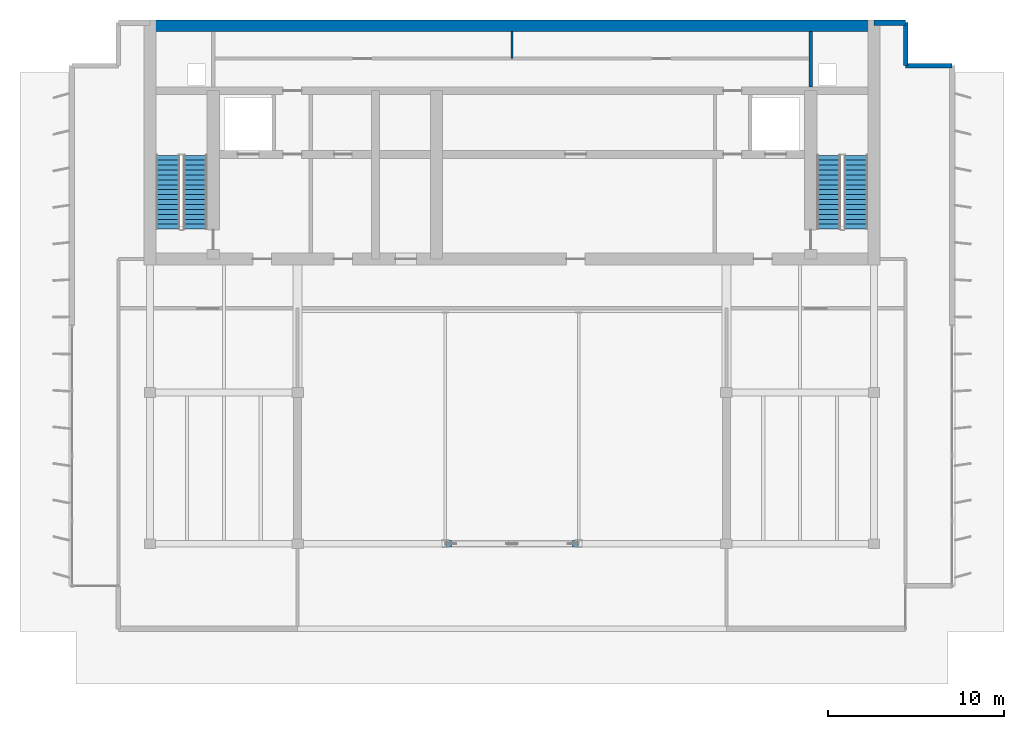
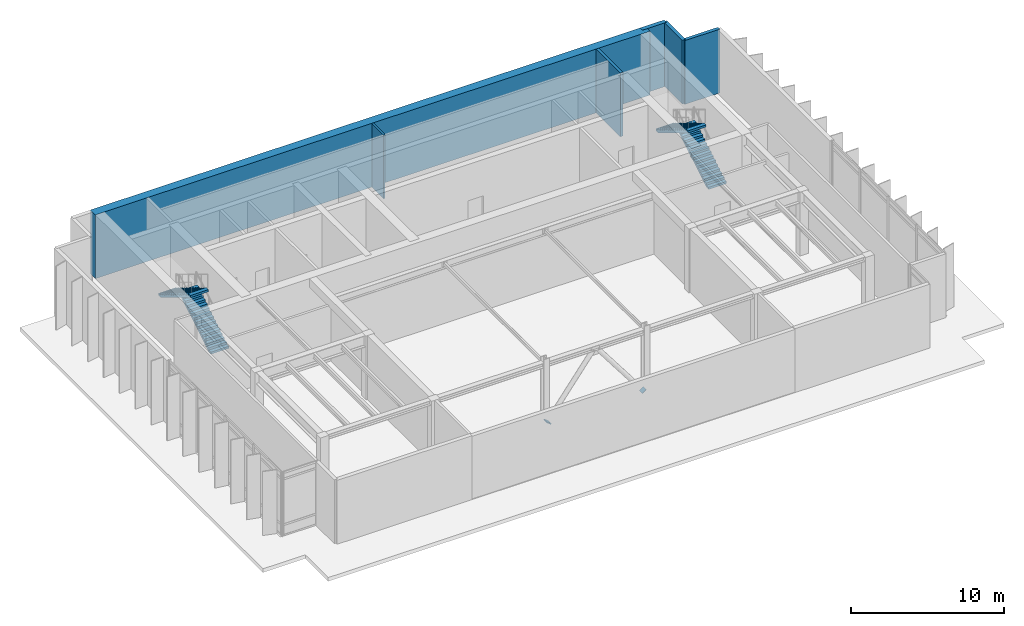
# One storey, part 7 of 10: 6 walls, 4 stair flights, 2 discrete accessories, 2 elements without a shape of their own.
"""IFC4 building model written with IfcOpenShell, lengths in metres."""

from ifc_helpers import new_model, si_unit, direction, frame, frame_2d, origin, place, context, subcontext, project, spatial, polyline, rectangle, outline, extrude, material, layer, layer_set, type_object, element, aggregate, save


model = new_model("IFC4")

# Units and contexts
model_context = context("Model", 3, precision=1e-05, world=origin(), true_north=direction((0.0, 1.0)))
body_context = subcontext(model_context, "Body", "Model", "MODEL_VIEW")
ifc_project = project(units=[si_unit("LENGTHUNIT", "METRE"), si_unit("AREAUNIT", "SQUARE_METRE"), si_unit("VOLUMEUNIT", "CUBIC_METRE"), si_unit("PLANEANGLEUNIT", "RADIAN"), si_unit("MASSUNIT", "GRAM", prefix="KILO")], contexts=[model_context])

# Site, building, storey
site_placement = place(None, origin())
site = spatial("IfcSite", under=ifc_project, at=site_placement, CompositionType="ELEMENT")
building_placement = place(site_placement, origin())
building = spatial("IfcBuilding", under=site, at=building_placement, Name="Caelmar Bay Residences", CompositionType="ELEMENT")
storey_placement = place(building_placement, frame((0.0, 0.0, 279.39990234375)))
storey = spatial("IfcBuildingStorey", under=building, at=storey_placement, Name="L78", CompositionType="ELEMENT", Elevation=279.39990234375)

# Walls
ifc_material_1 = material(Name="Concrete f'c 55 MPa (8,000 psi)", Category="concrete")
ifc_layer_1 = layer(ifc_material_1, 0.64990234375)
ifc_layer_set_1 = layer_set([ifc_layer_1], Name="Concrete f'c 55 MPa (8,000 psi)")
wall_type_1 = type_object("IfcWallType", Name="SW-CORN-650", PredefinedType="SHEAR", material=ifc_layer_set_1)
wall_1_placement = place(storey_placement, frame((17.949951171875, 50.27490234375, 0.0), z_axis=(0.0, 0.0, 1.0), x_axis=(1.0, 0.0, 0.0)))
element("IfcWall", 1, at=wall_1_placement, inside=storey, type_object=wall_type_1, Name="L78 Rear Core North Shear Wall", PredefinedType="SHEAR", context=body_context, shape_type="SweptSolid", body=[
    extrude(rectangle(XDim=41.900146484375, YDim=0.64990234375, at=frame_2d((20.9501953125, 0.0))), origin(), (0.0, 0.0, 1.0), 5.10009765625),
])
ifc_material_2 = material(Name="Precast concrete f'c 40 MPa (6,000 psi)", Category="concrete")
ifc_layer_2 = layer(ifc_material_2, 0.25)
ifc_layer_set_2 = layer_set([ifc_layer_2], Name="Precast concrete f'c 40 MPa (6,000 psi)")
wall_type_2 = type_object("IfcWallType", Name="W-EXT-250", PredefinedType="ELEMENTEDWALL", material=ifc_layer_set_2)
wall_2_placement = place(storey_placement, frame((61.300048828125, 50.449951171875, 0.0), z_axis=(0.0, 0.0, 1.0), x_axis=(0.0, -1.0, 0.0)))
element("IfcWall", 2, at=wall_2_placement, inside=storey, type_object=wall_type_2, Name="L78 NNE-V Notch Wall", PredefinedType="ELEMENTEDWALL", context=body_context, shape_type="SweptSolid", body=[
    extrude(rectangle(XDim=2.449951171875, YDim=0.25, at=frame_2d((1.22509765625, 0.0))), origin(), (0.0, 0.0, 1.0), 5.10009765625),
])
wall_3_placement = place(storey_placement, frame((61.300048828125, 48.0, 0.0), z_axis=(0.0, 0.0, 1.0), x_axis=(1.0, 0.0, 0.0)))
element("IfcWall", 3, at=wall_3_placement, inside=storey, type_object=wall_type_2, Name="L78 NNE-H Notch Wall", PredefinedType="ELEMENTEDWALL", context=body_context, shape_type="SweptSolid", body=[
    extrude(rectangle(XDim=2.64990234375, YDim=0.25, at=frame_2d((1.324951171875, 0.0))), origin(), (0.0, 0.0, 1.0), 5.10009765625),
])
ifc_layer_3 = layer(ifc_material_2, 0.300048828125)
ifc_layer_set_3 = layer_set([ifc_layer_3], Name="Precast concrete f'c 40 MPa (6,000 psi)")
wall_type_3 = type_object("IfcWallType", Name="W-EXT-300", PredefinedType="STANDARD", material=ifc_layer_set_3)
wall_4_placement = place(storey_placement, frame((59.5, 50.449951171875, 0.0), z_axis=(0.0, 0.0, 1.0), x_axis=(1.0, 0.0, 0.0)))
element("IfcWall", 4, at=wall_4_placement, inside=storey, type_object=wall_type_3, Name="L78 North-East Wing Exterior Wall", PredefinedType="STANDARD", context=body_context, shape_type="SweptSolid", body=[
    extrude(rectangle(XDim=1.800048828125, YDim=0.300048828125, at=frame_2d((0.89990234375, 0.0))), origin(), (0.0, 0.0, 1.0), 5.10009765625),
])
ifc_material_3 = material(Name="Fire-rated masonry and gypsum shaftliner assembly 200 mm", Category="masonry")
ifc_layer_4 = layer(ifc_material_3, 0.199951171875)
ifc_layer_set_4 = layer_set([ifc_layer_4], Name="Fire-rated masonry and gypsum shaftliner assembly 200 mm")
wall_type_4 = type_object("IfcWallType", Name="W-FSAE-200", PredefinedType="PARTITIONING", material=ifc_layer_set_4)
wall_5_placement = place(storey_placement, frame((55.89990234375, 46.794921875, 0.0), z_axis=(0.0, 0.0, 1.0), x_axis=(0.0, 1.0, 0.0)))
element("IfcWall", 5, at=wall_5_placement, inside=storey, type_object=wall_type_4, Name="L78 Partition Wall V014", PredefinedType="PARTITIONING", context=body_context, shape_type="SweptSolid", body=[
    extrude(rectangle(XDim=3.16015625, YDim=0.199951171875, at=frame_2d((1.580078125, 0.0))), origin(), (0.0, 0.0, 1.0), 5.10009765625),
])
ifc_material_4 = material(Name="Acoustic metal-stud gypsum partition 120 mm")
ifc_layer_5 = layer(ifc_material_4, 0.1201171875)
ifc_layer_set_5 = layer_set([ifc_layer_5], Name="Acoustic metal-stud gypsum partition 120 mm")
wall_type_5 = type_object("IfcWallType", Name="W-PRT-120", PredefinedType="PARTITIONING", material=ifc_layer_set_5)
wall_6_placement = place(storey_placement, frame((38.89990234375, 48.39990234375, 0.0), z_axis=(0.0, 0.0, 1.0), x_axis=(0.0, 1.0, 0.0)))
element("IfcWall", 6, at=wall_6_placement, inside=storey, type_object=wall_type_5, Name="L78 Partition Wall V008", PredefinedType="PARTITIONING", context=body_context, shape_type="SweptSolid", body=[
    extrude(rectangle(XDim=1.55517578125, YDim=0.1201171875, at=frame_2d((0.777587890625, 0.0))), origin(), (0.0, 0.0, 1.0), 5.10009765625),
])

# Stair, stair flights
ifc_material_5 = material(Name="Concrete f'c 40 MPa (6,000 psi)", Category="concrete")
stair_type = type_object("IfcStairType", Name="ST-TAL-170", PredefinedType="HALF_TURN_STAIR", material=ifc_material_5)
stair_1_placement = place(storey_placement, origin())
stair_1 = element("IfcStair", 7, at=stair_1_placement, inside=storey, type_object=stair_type, Name="L78 West Smokeproof Exit Stair ST1", PredefinedType="HALF_TURN_STAIR")
stair_flight_type = type_object("IfcStairFlightType", Name="STF-1400", PredefinedType="STRAIGHT", material=ifc_material_2)
stair_flight_1_placement = place(storey_placement, frame((20.875, 38.699951171875, 0.0), z_axis=(0.0, 0.0, 1.0), x_axis=(0.0, 1.0, 0.0)))
stair_flight_1 = element("IfcStairFlight", 8, at=stair_flight_1_placement, type_object=stair_flight_type, Name="ST1 flight 1", NumberOfRisers=16, NumberOfTreads=15, PredefinedType="STRAIGHT", RiserHeight=0.16875, TreadLength=0.28, context=body_context, shape_type="SweptSolid", body=[
    extrude(outline(polyline([(0.0, 0.0), (0.0, 0.168701171875), (0.280029296875, 0.168701171875), (0.280029296875, 0.33740234375), (0.56005859375, 0.33740234375), (0.56005859375, 0.50634765625), (0.840087890625, 0.50634765625), (0.840087890625, 0.675048828125), (1.1201171875, 0.675048828125), (1.1201171875, 0.84375), (1.39990234375, 0.84375), (1.39990234375, 1.012451171875), (1.679931640625, 1.012451171875), (1.679931640625, 1.18115234375), (1.9599609375, 1.18115234375), (1.9599609375, 1.35009765625), (2.239990234375, 1.35009765625), (2.239990234375, 1.518798828125), (2.52001953125, 1.518798828125), (2.52001953125, 1.6875), (2.800048828125, 1.6875), (2.800048828125, 1.856201171875), (3.080078125, 1.856201171875), (3.080078125, 2.02490234375), (3.360107421875, 2.02490234375), (3.360107421875, 2.19384765625), (3.639892578125, 2.19384765625), (3.639892578125, 2.362548828125), (3.919921875, 2.362548828125), (3.919921875, 2.53125), (4.199951171875, 2.53125), (4.199951171875, 2.699951171875), (4.199951171875, 2.356201171875), (0.29052734375, 0.0), (0.0, 0.0)])), frame((0.0, 0.675048828125, 0.0), z_axis=(0.0, -1.0, 0.0), x_axis=(1.0, 0.0, 0.0)), (0.0, 0.0, 1.0), 1.35009765625),
])
stair_flight_2_placement = place(storey_placement, frame((19.324951171875, 42.89990234375, 2.7001953125), z_axis=(0.0, 0.0, 1.0), x_axis=(0.0, -1.0, 0.0)))
stair_flight_2 = element("IfcStairFlight", 9, at=stair_flight_2_placement, type_object=stair_flight_type, Name="ST1 flight 2", NumberOfRisers=16, NumberOfTreads=15, PredefinedType="STRAIGHT", RiserHeight=0.16875, TreadLength=0.28, context=body_context, shape_type="SweptSolid", body=[
    extrude(outline(polyline([(0.0, 0.0), (0.0, 0.168701171875), (0.280029296875, 0.168701171875), (0.280029296875, 0.33740234375), (0.56005859375, 0.33740234375), (0.56005859375, 0.50634765625), (0.840087890625, 0.50634765625), (0.840087890625, 0.675048828125), (1.1201171875, 0.675048828125), (1.1201171875, 0.84375), (1.39990234375, 0.84375), (1.39990234375, 1.012451171875), (1.679931640625, 1.012451171875), (1.679931640625, 1.18115234375), (1.9599609375, 1.18115234375), (1.9599609375, 1.35009765625), (2.239990234375, 1.35009765625), (2.239990234375, 1.518798828125), (2.52001953125, 1.518798828125), (2.52001953125, 1.6875), (2.800048828125, 1.6875), (2.800048828125, 1.856201171875), (3.080078125, 1.856201171875), (3.080078125, 2.02490234375), (3.360107421875, 2.02490234375), (3.360107421875, 2.19384765625), (3.639892578125, 2.19384765625), (3.639892578125, 2.362548828125), (3.919921875, 2.362548828125), (3.919921875, 2.53125), (4.199951171875, 2.53125), (4.199951171875, 2.699951171875), (4.199951171875, 2.356201171875), (0.29052734375, 0.0), (0.0, 0.0)])), frame((0.0, 0.675048828125, 0.0), z_axis=(0.0, -1.0, 0.0), x_axis=(1.0, 0.0, 0.0)), (0.0, 0.0, 1.0), 1.35009765625),
])
aggregate(stair_1, [stair_flight_1, stair_flight_2])

stair_2_placement = place(storey_placement, origin())
stair_2 = element("IfcStair", 10, at=stair_2_placement, inside=storey, type_object=stair_type, Name="L78 East Smokeproof Exit Stair ST2", PredefinedType="HALF_TURN_STAIR")
stair_flight_3_placement = place(storey_placement, frame((58.47509765625, 38.699951171875, 0.0), z_axis=(0.0, 0.0, 1.0), x_axis=(0.0, 1.0, 0.0)))
stair_flight_3 = element("IfcStairFlight", 11, at=stair_flight_3_placement, type_object=stair_flight_type, Name="ST2 flight 1", NumberOfRisers=16, NumberOfTreads=15, PredefinedType="STRAIGHT", RiserHeight=0.16875, TreadLength=0.28, context=body_context, shape_type="SweptSolid", body=[
    extrude(outline(polyline([(0.0, 0.0), (0.0, 0.168701171875), (0.280029296875, 0.168701171875), (0.280029296875, 0.33740234375), (0.56005859375, 0.33740234375), (0.56005859375, 0.50634765625), (0.840087890625, 0.50634765625), (0.840087890625, 0.675048828125), (1.1201171875, 0.675048828125), (1.1201171875, 0.84375), (1.39990234375, 0.84375), (1.39990234375, 1.012451171875), (1.679931640625, 1.012451171875), (1.679931640625, 1.18115234375), (1.9599609375, 1.18115234375), (1.9599609375, 1.35009765625), (2.239990234375, 1.35009765625), (2.239990234375, 1.518798828125), (2.52001953125, 1.518798828125), (2.52001953125, 1.6875), (2.800048828125, 1.6875), (2.800048828125, 1.856201171875), (3.080078125, 1.856201171875), (3.080078125, 2.02490234375), (3.360107421875, 2.02490234375), (3.360107421875, 2.19384765625), (3.639892578125, 2.19384765625), (3.639892578125, 2.362548828125), (3.919921875, 2.362548828125), (3.919921875, 2.53125), (4.199951171875, 2.53125), (4.199951171875, 2.699951171875), (4.199951171875, 2.356201171875), (0.29052734375, 0.0), (0.0, 0.0)])), frame((0.0, 0.675048828125, 0.0), z_axis=(0.0, -1.0, 0.0), x_axis=(1.0, 0.0, 0.0)), (0.0, 0.0, 1.0), 1.35009765625),
])
stair_flight_4_placement = place(storey_placement, frame((56.925048828125, 42.89990234375, 2.7001953125), z_axis=(0.0, 0.0, 1.0), x_axis=(0.0, -1.0, 0.0)))
stair_flight_4 = element("IfcStairFlight", 12, at=stair_flight_4_placement, type_object=stair_flight_type, Name="ST2 flight 2", NumberOfRisers=16, NumberOfTreads=15, PredefinedType="STRAIGHT", RiserHeight=0.16875, TreadLength=0.28, context=body_context, shape_type="SweptSolid", body=[
    extrude(outline(polyline([(0.0, 0.0), (0.0, 0.168701171875), (0.280029296875, 0.168701171875), (0.280029296875, 0.33740234375), (0.56005859375, 0.33740234375), (0.56005859375, 0.50634765625), (0.840087890625, 0.50634765625), (0.840087890625, 0.675048828125), (1.1201171875, 0.675048828125), (1.1201171875, 0.84375), (1.39990234375, 0.84375), (1.39990234375, 1.012451171875), (1.679931640625, 1.012451171875), (1.679931640625, 1.18115234375), (1.9599609375, 1.18115234375), (1.9599609375, 1.35009765625), (2.239990234375, 1.35009765625), (2.239990234375, 1.518798828125), (2.52001953125, 1.518798828125), (2.52001953125, 1.6875), (2.800048828125, 1.6875), (2.800048828125, 1.856201171875), (3.080078125, 1.856201171875), (3.080078125, 2.02490234375), (3.360107421875, 2.02490234375), (3.360107421875, 2.19384765625), (3.639892578125, 2.19384765625), (3.639892578125, 2.362548828125), (3.919921875, 2.362548828125), (3.919921875, 2.53125), (4.199951171875, 2.53125), (4.199951171875, 2.699951171875), (4.199951171875, 2.356201171875), (0.29052734375, 0.0), (0.0, 0.0)])), frame((0.0, 0.675048828125, 0.0), z_axis=(0.0, -1.0, 0.0), x_axis=(1.0, 0.0, 0.0)), (0.0, 0.0, 1.0), 1.35009765625),
])
aggregate(stair_2, [stair_flight_3, stair_flight_4])

# Discrete accessories
ifc_material_6 = material(Name="Steel ASTM A572 Grade 50", Category="steel")
discrete_accessory_type = type_object("IfcDiscreteAccessoryType", Name="ACC-PRTCAP-45", PredefinedType="USERDEFINED", material=ifc_material_6)
discrete_accessory_1_placement = place(storey_placement, frame((35.46044921875, 20.610107421875, 0.0830078125), z_axis=(0.60492043387, 0.0, 0.796285921442), x_axis=(0.0, 1.0, 0.0)))
element("IfcDiscreteAccessory", 13, at=discrete_accessory_1_placement, inside=storey, type_object=discrete_accessory_type, Name="L78 Hollow-Brace Sealed End-Cap Bracket PLT-PRTCAP-L78-A", ObjectType="BRACKET", PredefinedType="USERDEFINED", context=body_context, shape_type="SweptSolid", body=[
    extrude(outline(polyline([(0.0, 0.0), (0.3798828125, 0.0), (0.3798828125, 0.3801830056868801), (0.0, 0.3801830056868801), (0.0, 0.0)])), origin(), (0.0, 0.0, -1.0), 0.044921875),
])
discrete_accessory_2_placement = place(storey_placement, frame((42.339599609375, 20.989990234375, 0.0830078125), z_axis=(-0.605229871143, 0.0, 0.796050754083), x_axis=(0.0, -1.0, 0.0)))
element("IfcDiscreteAccessory", 14, at=discrete_accessory_2_placement, inside=storey, type_object=discrete_accessory_type, Name="L78 Hollow-Brace Sealed End-Cap Bracket PLT-PRTCAP-L78-B", ObjectType="BRACKET", PredefinedType="USERDEFINED", context=body_context, shape_type="SweptSolid", body=[
    extrude(outline(polyline([(0.0, 0.0), (0.3798828125, 0.0), (0.3798828125, 0.3799886286439532), (0.0, 0.3799886286439532), (0.0, 0.0)])), origin(), (0.0, 0.0, -1.0), 0.044921875),
])

save(model, "model.ifc")
